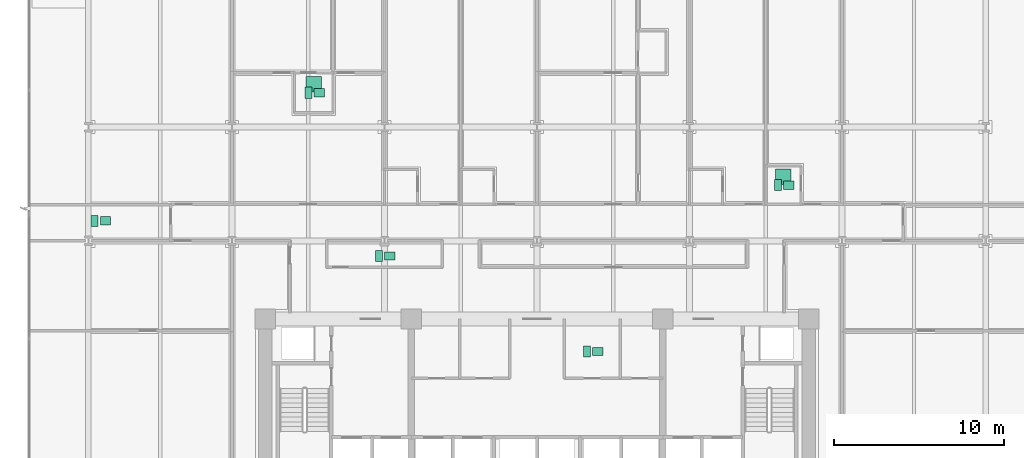
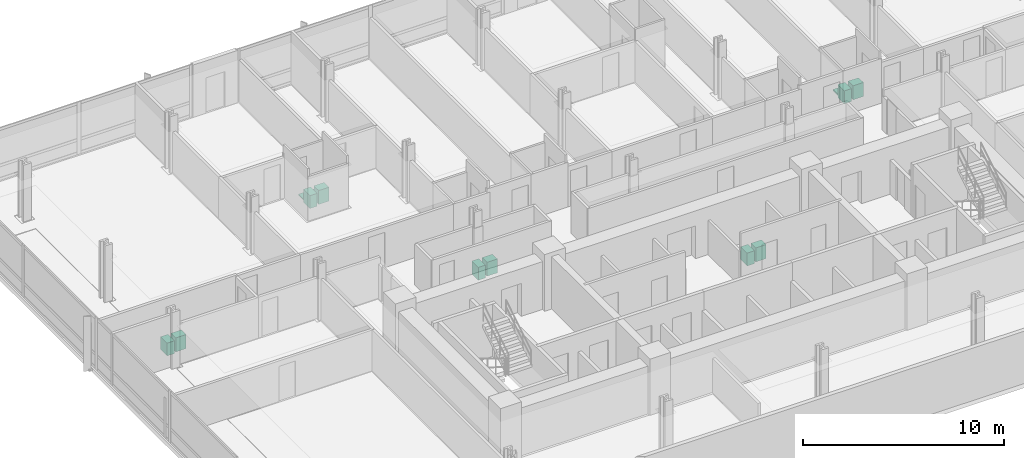
# One storey, part 16 of 16: 12 sanitary terminals.
"""IFC4 building model written with IfcOpenShell, lengths in metres."""

from ifc_helpers import new_model, si_unit, direction, frame, origin, origin_2d, place, context, subcontext, project, spatial, rectangle, extrude, material, type_object, element, save


model = new_model("IFC4")

# Units and contexts
model_context = context("Model", 3, precision=1e-05, world=origin(), true_north=direction((0.0, 1.0)))
body_context = subcontext(model_context, "Body", "Model", "MODEL_VIEW")
ifc_project = project(units=[si_unit("LENGTHUNIT", "METRE"), si_unit("AREAUNIT", "SQUARE_METRE"), si_unit("VOLUMEUNIT", "CUBIC_METRE"), si_unit("PLANEANGLEUNIT", "RADIAN"), si_unit("MASSUNIT", "GRAM", prefix="KILO")], contexts=[model_context])

# Site, building, storey
site_placement = place(None, origin())
site = spatial("IfcSite", under=ifc_project, at=site_placement, CompositionType="ELEMENT")
building_placement = place(site_placement, origin())
building = spatial("IfcBuilding", under=site, at=building_placement, Name="Solmavex Isthmus Hotel", CompositionType="ELEMENT")
storey_placement = place(building_placement, frame((0.0, 0.0, 67.800048828125)))
storey = spatial("IfcBuildingStorey", under=building, at=storey_placement, Name="L18", CompositionType="ELEMENT", Elevation=67.800048828125)

# Sanitary terminals
ifc_material = material(Name="Vitreous china ceramic", Category="ceramic")
sanitary_terminal_type_1 = type_object("IfcSanitaryTerminalType", Name="SAN-BASIN", PredefinedType="WASHHANDBASIN", material=ifc_material)
for number, where, z_axis, x_axis, name in (
    (1, (3.570068359375, -4.409912109375, 0.0), (0.0, 0.0, 1.0), (1.0, 0.0, 0.0), "Vanity Washbasin L18-83"),
    (2, (-12.819091796875, 10.81298828125, 0.0), (0.0, 0.0, 1.0), (1.0, 0.0, 0.0), "Vanity Washbasin L18-84"),
    (3, (14.816162109375, 5.375, 0.0), (0.0, 0.0, 1.0), (1.0, 0.0, 0.0), "Vanity Washbasin L18-85"),
    (4, (-8.666015625, 1.21240234375, 0.0), (0.0, 0.0, 1.0), (1.0, 0.0, 0.0), "Vanity Washbasin L18-86"),
    (5, (-25.39599609375, 3.277587890625, 0.0), (0.0, 0.0, 1.0), (1.0, 0.0, 0.0), "Vanity Washbasin L18-87"),
):
    element("IfcSanitaryTerminal", number, at=place(storey_placement, frame(where, z_axis=z_axis, x_axis=x_axis)), inside=storey, type_object=sanitary_terminal_type_1, Name=name, PredefinedType="WASHHANDBASIN", context=body_context, shape_type="SweptSolid", body=[
        extrude(rectangle(XDim=0.60009765625, YDim=0.47998046875, at=origin_2d()), origin(), (0.0, 0.0, 1.0), 0.85009765625),
    ])
sanitary_terminal_type_2 = type_object("IfcSanitaryTerminalType", Name="SAN-SHOWER", PredefinedType="SHOWER", material=ifc_material)
for number, where, z_axis, x_axis, name in (
    (6, (-13.138916015625, 11.31298828125, 0.0), (0.0, 0.0, 1.0), (1.0, 0.0, 0.0), "Walk-In Shower L18-84"),
    (7, (14.49609375, 5.875, 0.0), (0.0, 0.0, 1.0), (1.0, 0.0, 0.0), "Walk-In Shower L18-85"),
):
    element("IfcSanitaryTerminal", number, at=place(storey_placement, frame(where, z_axis=z_axis, x_axis=x_axis)), inside=storey, type_object=sanitary_terminal_type_2, Name=name, PredefinedType="SHOWER", context=body_context, shape_type="SweptSolid", body=[
        extrude(rectangle(XDim=0.89990234375, YDim=0.89990234375, at=origin_2d()), origin(), (0.0, 0.0, 1.0), 0.080078125),
    ])
sanitary_terminal_type_3 = type_object("IfcSanitaryTerminalType", Name="SAN-WC-SUITE", PredefinedType="TOILETPAN", material=ifc_material)
for number, where, z_axis, x_axis, name in (
    (8, (2.929931640625, -4.409912109375, 0.0), (0.0, 0.0, 1.0), (1.0, 0.0, 0.0), "Water Closet L18-83"),
    (9, (-13.458984375, 10.81298828125, 0.0), (0.0, 0.0, 1.0), (1.0, 0.0, 0.0), "Water Closet L18-84"),
    (10, (14.17626953125, 5.375, 0.0), (0.0, 0.0, 1.0), (1.0, 0.0, 0.0), "Water Closet L18-85"),
    (11, (-9.305908203125, 1.21240234375, 0.0), (0.0, 0.0, 1.0), (1.0, 0.0, 0.0), "Water Closet L18-86"),
    (12, (-26.035888671875, 3.277587890625, 0.0), (0.0, 0.0, 1.0), (1.0, 0.0, 0.0), "Water Closet L18-87"),
):
    element("IfcSanitaryTerminal", number, at=place(storey_placement, frame(where, z_axis=z_axis, x_axis=x_axis)), inside=storey, type_object=sanitary_terminal_type_3, Name=name, PredefinedType="TOILETPAN", context=body_context, shape_type="SweptSolid", body=[
        extrude(rectangle(XDim=0.419921875, YDim=0.64990234375, at=origin_2d()), origin(), (0.0, 0.0, 1.0), 0.780029296875),
    ])

save(model, "model.ifc")
